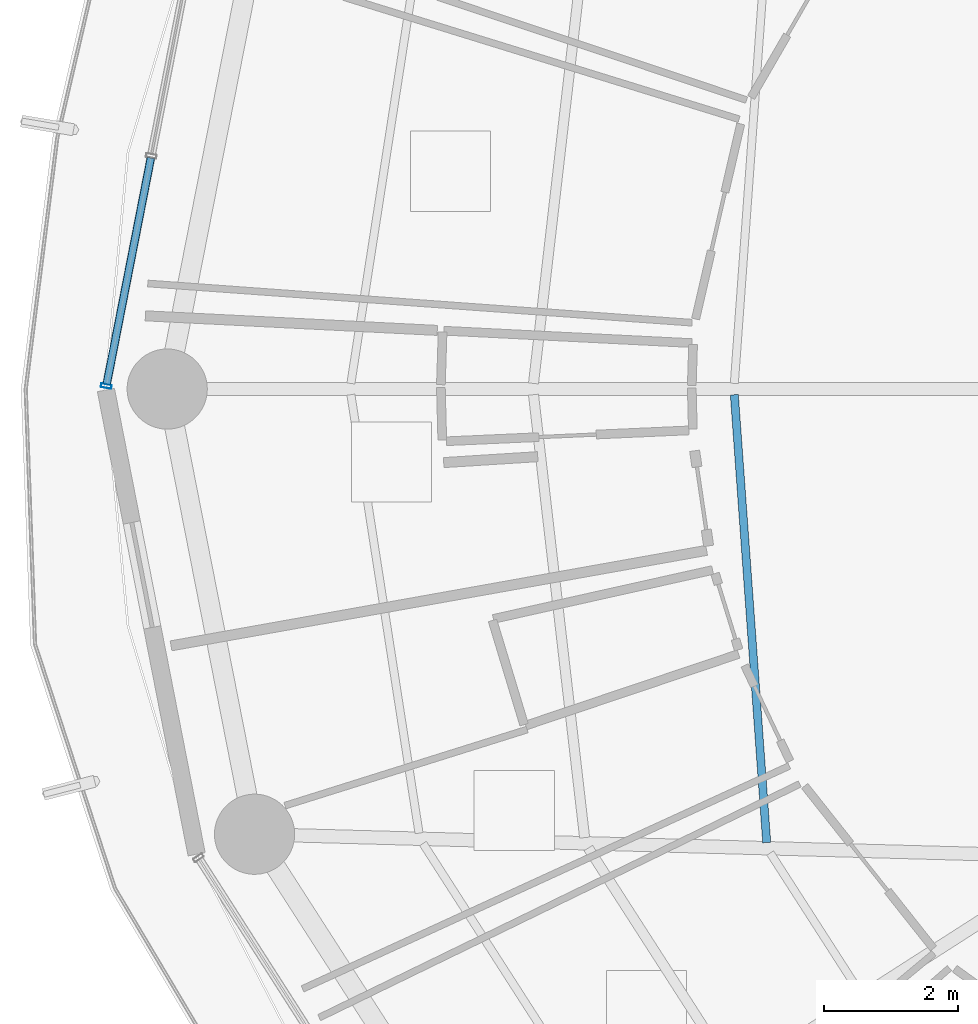
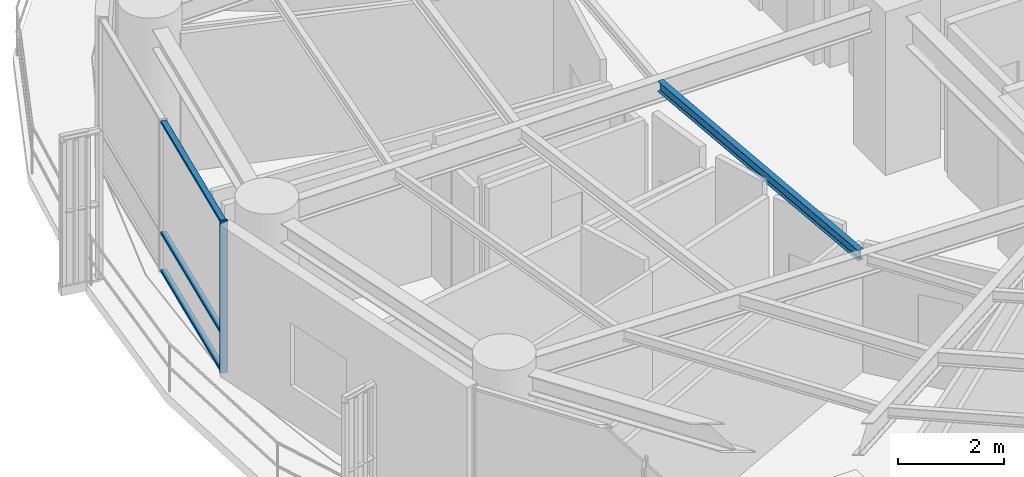
# One storey, part 6 of 28: 4 members, 1 beam, 1 element without a shape of its own.
"""IFC4 building model written with IfcOpenShell, lengths in metres."""

import ifcopenshell
import ifcopenshell.guid

model = None  # the IFC model being written
_history = None  # IfcOwnerHistory: only IFC2X3 demands one
_inside = {}  # id of a spatial element -> (the spatial element, [elements in it])
_under = {}  # id of a project, library or spatial element -> (it, [spatial elements below it])
_declared = {}  # id of a project -> (the project, [libraries it declares])
_typed = {}  # id of a type object -> (the type object, [elements of that type])
_made_of = {}  # id of a material, layer set ... -> (it, [elements and type objects made of it])


def new_model(schema):
    """Start an empty IFC model of exactly this schema.

    Asked for "IFC4X3", IfcOpenShell would pick the latest addendum, in which some entities
    have other attributes; the version numbers below select the first issue.
    IFC2X3 requires an IfcOwnerHistory on every rooted entity: one is made here for all.
    """
    global model, _history
    if schema == "IFC4X3":
        model = ifcopenshell.file(schema_version=(4, 3, 0, 0))
    else:
        model = ifcopenshell.file(schema=schema)
    _inside.clear()
    _under.clear()
    _declared.clear()
    _typed.clear()
    _made_of.clear()
    _history = None
    if model.schema == "IFC2X3":
        org = make("IfcOrganization", Name="unknown")
        user = make(
            "IfcPersonAndOrganization",
            ThePerson=make("IfcPerson", FamilyName="unknown"),
            TheOrganization=org,
        )
        app = make(
            "IfcApplication",
            ApplicationDeveloper=org,
            Version="unknown",
            ApplicationFullName="unknown",
            ApplicationIdentifier="unknown",
        )
        _history = make(
            "IfcOwnerHistory",
            OwningUser=user,
            OwningApplication=app,
            ChangeAction="ADDED",
            CreationDate=0,
        )
    return model


def make(cls, **values):
    """One entity of the class cls with the attributes given. An attribute that is None is left unset."""
    return model.create_entity(
        cls, **{name: value for name, value in values.items() if value is not None}
    )


def rooted(cls, **values):
    """An entity with a GlobalId (a new one), such as an element, a storey or a relation."""
    return make(cls, GlobalId=ifcopenshell.guid.new(), OwnerHistory=_history, **values)


def si_unit(unit_type, name, prefix=None):
    """IfcSIUnit, for example si_unit("LENGTHUNIT", "METRE", prefix="MILLI")."""
    return make("IfcSIUnit", UnitType=unit_type, Prefix=prefix, Name=name)


def assignment(units):
    """IfcUnitAssignment: the units of a project."""
    return None if units is None else make("IfcUnitAssignment", Units=units)


def point(xyz):
    """IfcCartesianPoint."""
    return None if xyz is None else make("IfcCartesianPoint", Coordinates=xyz)


def direction(xyz):
    """IfcDirection."""
    return None if xyz is None else make("IfcDirection", DirectionRatios=xyz)


def frame(location, z_axis=None, x_axis=None):
    """IfcAxis2Placement3D, a coordinate frame: its origin and axes. An axis left out is left unset."""
    return make(
        "IfcAxis2Placement3D",
        Location=point(location),
        Axis=direction(z_axis),
        RefDirection=direction(x_axis),
    )


def frame_2d(location, x_axis=None):
    """IfcAxis2Placement2D, a coordinate frame in the plane: its origin and x axis."""
    return make(
        "IfcAxis2Placement2D", Location=point(location), RefDirection=direction(x_axis)
    )


def origin():
    """The frame at (0, 0, 0) with its axes left unset."""
    return frame((0.0, 0.0, 0.0))


def origin_2d():
    """The frame at (0, 0) in the plane with its x axis left unset."""
    return frame_2d((0.0, 0.0))


def place(relative_to, where):
    """IfcLocalPlacement: puts the frame where relative to a parent placement (None: the world)."""
    return make(
        "IfcLocalPlacement", PlacementRelTo=relative_to, RelativePlacement=where
    )


def context(
    kind, dimensions, precision=None, world=None, true_north=None, identifier=None
):
    """IfcGeometricRepresentationContext, for example the 3D "Model" context."""
    return make(
        "IfcGeometricRepresentationContext",
        ContextIdentifier=identifier,
        ContextType=kind,
        CoordinateSpaceDimension=dimensions,
        Precision=precision,
        WorldCoordinateSystem=world,
        TrueNorth=true_north,
    )


def subcontext(parent, identifier, kind, view, scale=None):
    """IfcGeometricRepresentationSubContext, for example "Body" below "Model"."""
    return make(
        "IfcGeometricRepresentationSubContext",
        ContextIdentifier=identifier,
        ContextType=kind,
        ParentContext=parent,
        TargetScale=scale,
        TargetView=view,
    )


def project(units=None, contexts=None):
    """IfcProject with its units and contexts."""
    return rooted(
        "IfcProject",
        Name="project",
        RepresentationContexts=contexts,
        UnitsInContext=assignment(units),
    )


def spatial(cls, under=None, at=None, **own):
    """A site, building, storey or space (cls), placed at a placement, below another one or the project."""
    s = rooted(cls, ObjectPlacement=at, **own)
    if under is not None:
        _under.setdefault(under.id(), (under, []))[1].append(s)
    return s


def profile(cls, at=None, kind="AREA", **sizes):
    """A parametric profile (cls). Its sizes go by their IFC names, for example OverallWidth=200.0."""
    return make(cls, ProfileType=kind, Position=at, **sizes)


def hollow_rectangle(**sizes):
    """IfcRectangleHollowProfileDef."""
    return profile("IfcRectangleHollowProfileDef", **sizes)


def i_section(**sizes):
    """IfcIShapeProfileDef."""
    return profile("IfcIShapeProfileDef", **sizes)


def extrude(swept, where, along, depth):
    """IfcExtrudedAreaSolid: the profile swept, set in the frame where, extruded along a direction by depth."""
    return make(
        "IfcExtrudedAreaSolid",
        SweptArea=swept,
        Position=where,
        ExtrudedDirection=direction(along),
        Depth=depth,
    )


def shape(context_of_items, identifier, shape_type, items):
    """IfcShapeRepresentation: the items that make up one representation, for example the "Body"."""
    return make(
        "IfcShapeRepresentation",
        ContextOfItems=context_of_items,
        RepresentationIdentifier=identifier,
        RepresentationType=shape_type,
        Items=items,
    )


def material(Name=None, Category=None):
    """IfcMaterial."""
    return make("IfcMaterial", Name=Name, Category=Category)


def layer(
    of_material, thickness, ventilated=None, Name=None, Category=None, Priority=None
):
    """IfcMaterialLayer: one layer of a wall or slab, of a material (None: an air gap)."""
    return make(
        "IfcMaterialLayer",
        Material=of_material,
        LayerThickness=thickness,
        IsVentilated=ventilated,
        Name=Name,
        Category=Category,
        Priority=Priority,
    )


def layer_set(layers, Name=None):
    """IfcMaterialLayerSet."""
    return make("IfcMaterialLayerSet", MaterialLayers=layers, LayerSetName=Name)


def material_profile(
    of_material, cross_section, Name=None, Category=None, Priority=None
):
    """IfcMaterialProfile: a cross section and its material."""
    return make(
        "IfcMaterialProfile",
        Name=Name,
        Material=of_material,
        Profile=cross_section,
        Priority=Priority,
        Category=Category,
    )


def profile_set(profiles, Name=None, composite=None):
    """IfcMaterialProfileSet."""
    return make(
        "IfcMaterialProfileSet",
        Name=Name,
        MaterialProfiles=profiles,
        CompositeProfile=composite,
    )


def made_of(thing, what):
    """Note that an element or type object is made of a material, layer set ...; save() writes the relation."""
    if what is not None:
        _made_of.setdefault(what.id(), (what, []))[1].append(thing)
    return thing


def type_object(cls, material=None, **own):
    """A type object (cls), such as IfcWallType, which elements share."""
    return made_of(rooted(cls, **own), material)


def element(
    cls,
    number,
    at=None,
    inside=None,
    cuts=None,
    type_object=None,
    material=None,
    context=None,
    identifier="Body",
    shape_type=None,
    held_by="IfcProductDefinitionShape",
    body=None,
    shapes=None,
    **own,
):
    """One element of the class cls, such as IfcWall. Its Tag is "e" and its number.

    at: its placement. inside: the storey or other place that contains it. cuts: it is an
    opening in that element (IfcRelVoidsElement). A single representation is given by context,
    identifier, shape_type and body (its items); several are given by shapes. held_by: the class
    of the entity that holds the representations. save() writes the other relations.
    """
    e = rooted(cls, Tag="e%d" % number, ObjectPlacement=at, **own)
    if body is not None:
        shapes = [shape(context, identifier, shape_type, body)]
    if shapes is not None:
        e.Representation = make(held_by, Representations=shapes)
    if inside is not None:
        _inside.setdefault(inside.id(), (inside, []))[1].append(e)
    if cuts is not None:
        rooted(
            "IfcRelVoidsElement", RelatingBuildingElement=cuts, RelatedOpeningElement=e
        )
    if type_object is not None:
        _typed.setdefault(type_object.id(), (type_object, []))[1].append(e)
    return made_of(e, material)


def aggregate(whole, parts):
    """IfcRelAggregates: a whole, such as a stair, and the parts it consists of."""
    return rooted("IfcRelAggregates", RelatingObject=whole, RelatedObjects=parts)


def save(model, path):
    """Write the relations noted so far, then the file.

    IfcRelAggregates (storeys below a building ...), IfcRelContainedInSpatialStructure (elements
    in a storey), IfcRelDefinesByType, IfcRelAssociatesMaterial and IfcRelDeclares: one each for
    every whole, place, type object, material and project.
    """
    for whole, parts in _under.values():
        aggregate(whole, parts)
    for where, things in _inside.values():
        rooted(
            "IfcRelContainedInSpatialStructure",
            RelatedElements=things,
            RelatingStructure=where,
        )
    for kind, things in _typed.values():
        rooted("IfcRelDefinesByType", RelatedObjects=things, RelatingType=kind)
    for what, things in _made_of.values():
        rooted("IfcRelAssociatesMaterial", RelatedObjects=things, RelatingMaterial=what)
    for by, libraries in _declared.values():
        rooted("IfcRelDeclares", RelatingContext=by, RelatedDefinitions=libraries)
    model.write(path)


model = new_model("IFC4")

# Units and contexts
model_context = context("Model", 3, precision=1e-05, world=origin(), true_north=direction((0.0, 1.0)))
body_context = subcontext(model_context, "Body", "Model", "MODEL_VIEW")
ifc_project = project(units=[si_unit("LENGTHUNIT", "METRE"), si_unit("AREAUNIT", "SQUARE_METRE"), si_unit("VOLUMEUNIT", "CUBIC_METRE"), si_unit("PLANEANGLEUNIT", "RADIAN"), si_unit("MASSUNIT", "GRAM", prefix="KILO")], contexts=[model_context])

# Site, building, storey
site_placement = place(None, origin())
site = spatial("IfcSite", under=ifc_project, at=site_placement, CompositionType="ELEMENT")
building_placement = place(site_placement, origin())
building = spatial("IfcBuilding", under=site, at=building_placement, Name="Kelanora Arch Commons", CompositionType="ELEMENT")
storey_placement = place(building_placement, frame((0.0, 0.0, 180.60009765625)))
storey = spatial("IfcBuildingStorey", under=building, at=storey_placement, Name="L46", CompositionType="ELEMENT", Elevation=180.60009765625)

# Beam
ifc_material_1 = material(Name="Steel S355", Category="steel")
ifc_material_profile_1 = material_profile(ifc_material_1, i_section(OverallWidth=0.1201171875, OverallDepth=0.239990234375, WebThickness=0.006103515625, FlangeThickness=0.009765625, FilletRadius=0.014892578125, at=origin_2d()), Name="IPE240")
ifc_profile_set_1 = profile_set([ifc_material_profile_1], Name="Steel S355")
beam_type = type_object("IfcBeamType", Name="BM-JST-02", PredefinedType="JOIST", material=ifc_profile_set_1)
beam_placement = place(storey_placement, frame((60.8076171875, 57.915283203125, 3.369873046875), z_axis=(0.072117123738, -0.997396170267, 0.0), x_axis=(0.997396170267, 0.072117123738, 0.0)))
element("IfcBeam", 1, at=beam_placement, inside=storey, type_object=beam_type, Name="Secondary Chord Joist BJA-18 L46", PredefinedType="JOIST", context=body_context, shape_type="SweptSolid", body=[
    extrude(i_section(OverallWidth=0.1201171875, OverallDepth=0.239990234375, WebThickness=0.006103515625, FlangeThickness=0.009765625, FilletRadius=0.014892578125, at=origin_2d()), origin(), (0.0, 0.0, 1.0), 6.719970703125),
])

# Curtain wall, members
ifc_material_2 = material(Name="Terracotta ceramic-fritted low-E glass and aluminium", Category="masonry")
ifc_layer = layer(ifc_material_2, 0.175048828125)
ifc_layer_set = layer_set([ifc_layer], Name="Terracotta ceramic-fritted low-E glass and aluminium")
curtain_wall_type = type_object("IfcCurtainWallType", Name="CW-SYS-02", PredefinedType="NOTDEFINED", material=ifc_layer_set)
curtain_wall_placement = place(storey_placement, origin())
curtain_wall = element("IfcCurtainWall", 2, at=curtain_wall_placement, inside=storey, type_object=curtain_wall_type, Name="Unitised Curtain Wall L46-B08", PredefinedType="NOTDEFINED")
ifc_material_3 = material(Name="Powder-coated aluminium terracotta", Category="masonry")
ifc_material_profile_2 = material_profile(ifc_material_3, hollow_rectangle(XDim=0.159912109375, YDim=0.06005859375, WallThickness=0.0048828125, InnerFilletRadius=0.0048828125, OuterFilletRadius=0.010009765625, at=origin_2d()), Name="CWM160x60")
ifc_profile_set_2 = profile_set([ifc_material_profile_2], Name="Powder-coated aluminium terracotta")
member_type_1 = type_object("IfcMemberType", Name="CWM-STD", PredefinedType="MULLION", material=ifc_profile_set_2)
member_1_placement = place(storey_placement, frame((51.40869140625, 58.044189453125, 0.0), z_axis=(0.0, 0.0, 1.0), x_axis=(0.981452557718, -0.191705182375, 0.0)))
member_1 = element("IfcMember", 3, at=member_1_placement, type_object=member_type_1, Name="CW-02 mullion 3", PredefinedType="MULLION", context=body_context, shape_type="SweptSolid", body=[
    extrude(hollow_rectangle(XDim=0.159912109375, YDim=0.06005859375, WallThickness=0.0048828125, InnerFilletRadius=0.0048828125, OuterFilletRadius=0.010009765625, at=origin_2d()), origin(), (0.0, 0.0, 1.0), 3.474853515625),
])
ifc_material_profile_3 = material_profile(ifc_material_3, hollow_rectangle(XDim=0.1201171875, YDim=0.06005859375, WallThickness=0.0048828125, InnerFilletRadius=0.0048828125, OuterFilletRadius=0.010009765625, at=origin_2d()), Name="CWT120x60")
ifc_profile_set_3 = profile_set([ifc_material_profile_3], Name="Powder-coated aluminium terracotta")
member_type_2 = type_object("IfcMemberType", Name="CWT-STD", PredefinedType="USERDEFINED", material=ifc_profile_set_3)
member_2_placement = place(storey_placement, frame((52.07568359375, 61.459228515625, 0.02978515625), z_axis=(-0.191718206447, -0.981450013662, 0.0), x_axis=(0.981450013662, -0.191718206447, 0.0)))
member_2 = element("IfcMember", 4, at=member_2_placement, type_object=member_type_2, Name="CW-02 transom 2.1", ObjectType="TRANSOM", PredefinedType="USERDEFINED", context=body_context, shape_type="SweptSolid", body=[
    extrude(hollow_rectangle(XDim=0.1201171875, YDim=0.06005859375, WallThickness=0.0048828125, InnerFilletRadius=0.0048828125, OuterFilletRadius=0.010009765625, at=origin_2d()), origin(), (0.0, 0.0, 1.0), 3.44970703125),
])
member_3_placement = place(storey_placement, frame((52.07568359375, 61.459228515625, 0.89990234375), z_axis=(-0.191718206447, -0.981450013662, 0.0), x_axis=(0.981450013662, -0.191718206447, 0.0)))
member_3 = element("IfcMember", 5, at=member_3_placement, type_object=member_type_2, Name="CW-02 transom 2.2", ObjectType="TRANSOM", PredefinedType="USERDEFINED", context=body_context, shape_type="SweptSolid", body=[
    extrude(hollow_rectangle(XDim=0.1201171875, YDim=0.06005859375, WallThickness=0.0048828125, InnerFilletRadius=0.0048828125, OuterFilletRadius=0.010009765625, at=origin_2d()), origin(), (0.0, 0.0, 1.0), 3.44970703125),
])
member_4_placement = place(storey_placement, frame((52.07568359375, 61.459228515625, 3.44482421875), z_axis=(-0.191718206447, -0.981450013662, 0.0), x_axis=(0.981450013662, -0.191718206447, 0.0)))
member_4 = element("IfcMember", 6, at=member_4_placement, type_object=member_type_2, Name="CW-02 transom 2.3", ObjectType="TRANSOM", PredefinedType="USERDEFINED", context=body_context, shape_type="SweptSolid", body=[
    extrude(hollow_rectangle(XDim=0.1201171875, YDim=0.06005859375, WallThickness=0.0048828125, InnerFilletRadius=0.0048828125, OuterFilletRadius=0.010009765625, at=origin_2d()), origin(), (0.0, 0.0, 1.0), 3.44970703125),
])
aggregate(curtain_wall, [member_1, member_2, member_3, member_4])

save(model, "model.ifc")
